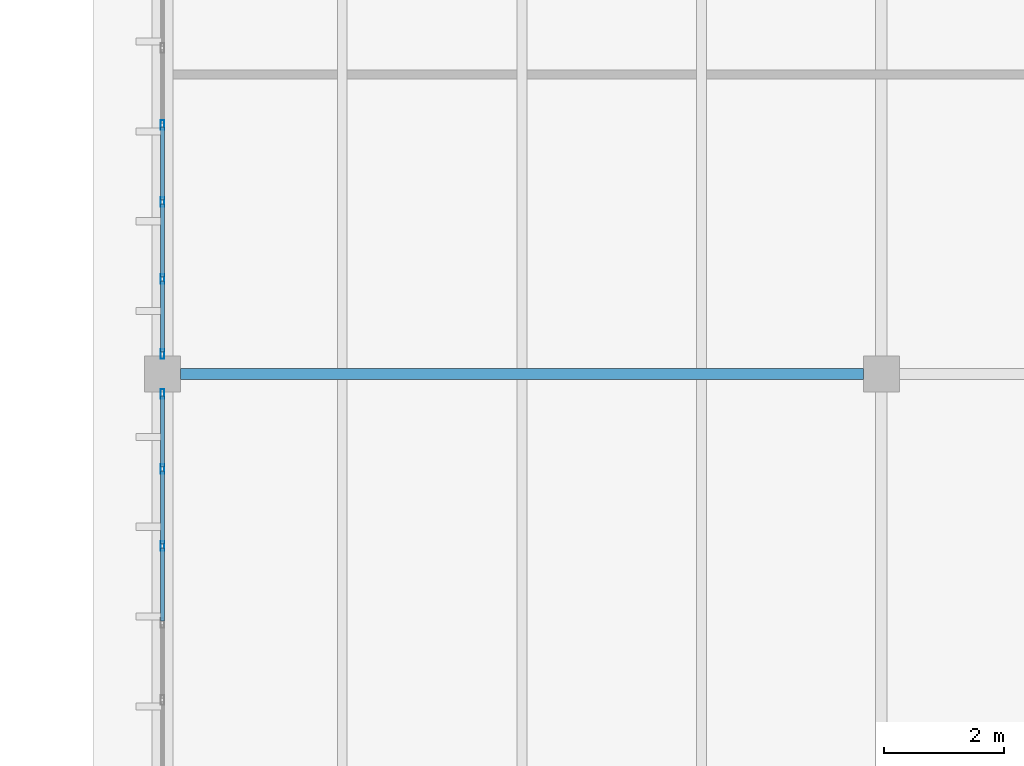
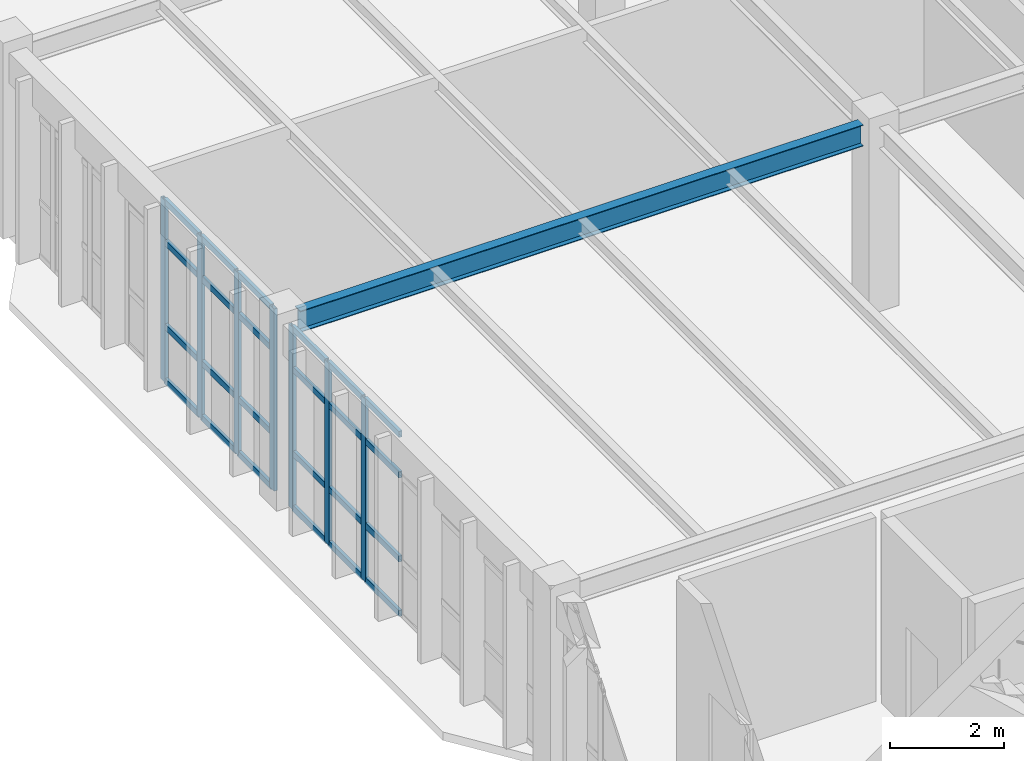
# One storey, part 44 of 83: 31 members, 1 beam, 2 elements without a shape of their own.
"""IFC4 building model written with IfcOpenShell, lengths in metres."""

from ifc_helpers import new_model, si_unit, direction, frame, origin, origin_2d, place, context, subcontext, project, spatial, hollow_rectangle, i_section, extrude, material, layer, layer_set, material_profile, profile_set, type_object, element, aggregate, save


model = new_model("IFC4")

# Units and contexts
model_context = context("Model", 3, precision=1e-05, world=origin(), true_north=direction((0.0, 1.0)))
body_context = subcontext(model_context, "Body", "Model", "MODEL_VIEW")
ifc_project = project(units=[si_unit("LENGTHUNIT", "METRE"), si_unit("AREAUNIT", "SQUARE_METRE"), si_unit("VOLUMEUNIT", "CUBIC_METRE"), si_unit("PLANEANGLEUNIT", "RADIAN"), si_unit("MASSUNIT", "GRAM", prefix="KILO")], contexts=[model_context])

# Site, building, storey
site_placement = place(None, origin())
site = spatial("IfcSite", under=ifc_project, at=site_placement, CompositionType="ELEMENT")
building_placement = place(site_placement, origin())
building = spatial("IfcBuilding", under=site, at=building_placement, Name="Pandanus Reach Market Hall", CompositionType="ELEMENT")
storey_placement = place(building_placement, frame((0.0, 0.0, 10.199951171875)))
storey = spatial("IfcBuildingStorey", under=building, at=storey_placement, Name="L02", CompositionType="ELEMENT", Elevation=10.199951171875)

# Beam
ifc_material_1 = material(Name="Steel Grade 350 (350 MPa)", Category="steel")
ifc_material_profile_1 = material_profile(ifc_material_1, i_section(OverallWidth=0.18994140625, OverallDepth=0.45703125, WebThickness=0.009033203125, FlangeThickness=0.014404296875, at=origin_2d()), Name="460UB74.6", Category="LoadBearing")
ifc_profile_set_1 = profile_set([ifc_material_profile_1], Name="Steel Grade 350 (350 MPa)")
beam_type = type_object("IfcBeamType", Name="BM-UB460-I", PredefinedType="BEAM", material=ifc_profile_set_1)
beam_placement = place(storey_placement, frame((144.298095703125, 67.199951171875, 3.72119140625), z_axis=(1.0, 0.0, 0.0), x_axis=(0.0, 1.0, 0.0)))
element("IfcBeam", 1, at=beam_placement, inside=storey, type_object=beam_type, Name="Framing beam BM-UB460-I L02.452", PredefinedType="BEAM", context=body_context, shape_type="SweptSolid", body=[
    extrude(i_section(OverallWidth=0.18994140625, OverallDepth=0.45703125, WebThickness=0.009033203125, FlangeThickness=0.014404296875, at=origin_2d()), origin(), (0.0, 0.0, 1.0), 11.40380859375),
])

# Curtain wall, members
ifc_material_2 = material(Name="Bronze anodised aluminium and low-E glass", Category="aluminium")
ifc_layer = layer(ifc_material_2, 0.159912109375, Name="CW-33")
ifc_layer_set = layer_set([ifc_layer], Name="Bronze anodised aluminium and low-E glass")
curtain_wall_type = type_object("IfcCurtainWallType", Name="CW-33", PredefinedType="NOTDEFINED", material=ifc_layer_set)
curtain_wall_1_placement = place(storey_placement, origin())
curtain_wall_1 = element("IfcCurtainWall", 2, at=curtain_wall_1_placement, inside=storey, type_object=curtain_wall_type, Name="Glazed curtain wall CW-33 CW-0113", PredefinedType="NOTDEFINED")
ifc_material_3 = material(Name="Bronze anodised aluminium", Category="aluminium")
ifc_material_profile_2 = material_profile(ifc_material_3, hollow_rectangle(XDim=0.06494140625, YDim=0.159912109375, WallThickness=0.00390625, at=origin_2d()), Name="ALU65x160", Category="LoadBearing")
ifc_profile_set_2 = profile_set([ifc_material_profile_2], Name="Bronze anodised aluminium")
member_type_1 = type_object("IfcMemberType", Name="CW-M1", PredefinedType="MULLION", material=ifc_profile_set_2)
member_1_placement = place(storey_placement, frame((144.0, 64.32861328125, 0.0), z_axis=(0.0, 0.0, 1.0), x_axis=(-1.0, 0.0, 0.0)))
member_1 = element("IfcMember", 3, at=member_1_placement, type_object=member_type_1, Name="CW-33 mullion 6", PredefinedType="MULLION", context=body_context, shape_type="SweptSolid", body=[
    extrude(hollow_rectangle(XDim=0.06494140625, YDim=0.159912109375, WallThickness=0.00390625, at=origin_2d()), origin(), (0.0, 0.0, 1.0), 3.900146484375),
])
member_2_placement = place(storey_placement, frame((144.0, 65.6142578125, 0.0), z_axis=(0.0, 0.0, 1.0), x_axis=(-1.0, 0.0, 0.0)))
member_2 = element("IfcMember", 4, at=member_2_placement, type_object=member_type_1, Name="CW-33 mullion 7", PredefinedType="MULLION", context=body_context, shape_type="SweptSolid", body=[
    extrude(hollow_rectangle(XDim=0.06494140625, YDim=0.159912109375, WallThickness=0.00390625, at=origin_2d()), origin(), (0.0, 0.0, 1.0), 3.900146484375),
])
member_3_placement = place(storey_placement, frame((144.0, 66.867431640625, 0.0), z_axis=(0.0, 0.0, 1.0), x_axis=(-1.0, 0.0, 0.0)))
member_3 = element("IfcMember", 5, at=member_3_placement, type_object=member_type_1, Name="CW-33 mullion 8", PredefinedType="MULLION", context=body_context, shape_type="SweptSolid", body=[
    extrude(hollow_rectangle(XDim=0.06494140625, YDim=0.159912109375, WallThickness=0.00390625, at=origin_2d()), origin(), (0.0, 0.0, 1.0), 3.900146484375),
])

curtain_wall_2_placement = place(storey_placement, origin())
curtain_wall_2 = element("IfcCurtainWall", 6, at=curtain_wall_2_placement, inside=storey, type_object=curtain_wall_type, Name="Glazed curtain wall CW-33 CW-0114", PredefinedType="NOTDEFINED")
member_4_placement = place(storey_placement, frame((144.0, 67.532470703125, 0.0), z_axis=(0.0, 0.0, 1.0), x_axis=(-1.0, 0.0, 0.0)))
member_4 = element("IfcMember", 7, at=member_4_placement, type_object=member_type_1, Name="CW-33 mullion 1", PredefinedType="MULLION", context=body_context, shape_type="SweptSolid", body=[
    extrude(hollow_rectangle(XDim=0.06494140625, YDim=0.159912109375, WallThickness=0.00390625, at=origin_2d()), origin(), (0.0, 0.0, 1.0), 3.900146484375),
])
member_5_placement = place(storey_placement, frame((144.0, 68.78564453125, 0.0), z_axis=(0.0, 0.0, 1.0), x_axis=(-1.0, 0.0, 0.0)))
member_5 = element("IfcMember", 8, at=member_5_placement, type_object=member_type_1, Name="CW-33 mullion 2", PredefinedType="MULLION", context=body_context, shape_type="SweptSolid", body=[
    extrude(hollow_rectangle(XDim=0.06494140625, YDim=0.159912109375, WallThickness=0.00390625, at=origin_2d()), origin(), (0.0, 0.0, 1.0), 3.900146484375),
])
member_6_placement = place(storey_placement, frame((144.0, 70.071533203125, 0.0), z_axis=(0.0, 0.0, 1.0), x_axis=(-1.0, 0.0, 0.0)))
member_6 = element("IfcMember", 9, at=member_6_placement, type_object=member_type_1, Name="CW-33 mullion 3", PredefinedType="MULLION", context=body_context, shape_type="SweptSolid", body=[
    extrude(hollow_rectangle(XDim=0.06494140625, YDim=0.159912109375, WallThickness=0.00390625, at=origin_2d()), origin(), (0.0, 0.0, 1.0), 3.900146484375),
])
member_7_placement = place(storey_placement, frame((144.0, 71.357177734375, 0.0), z_axis=(0.0, 0.0, 1.0), x_axis=(-1.0, 0.0, 0.0)))
member_7 = element("IfcMember", 10, at=member_7_placement, type_object=member_type_1, Name="CW-33 mullion 4", PredefinedType="MULLION", context=body_context, shape_type="SweptSolid", body=[
    extrude(hollow_rectangle(XDim=0.06494140625, YDim=0.159912109375, WallThickness=0.00390625, at=origin_2d()), origin(), (0.0, 0.0, 1.0), 3.900146484375),
])

# Member
ifc_material_profile_3 = material_profile(ifc_material_3, hollow_rectangle(XDim=0.06494140625, YDim=0.1298828125, WallThickness=0.00390625, at=origin_2d()), Name="ALU65x130", Category="LoadBearing")
ifc_profile_set_3 = profile_set([ifc_material_profile_3], Name="Bronze anodised aluminium")
member_type_2 = type_object("IfcMemberType", Name="CW-T1", PredefinedType="USERDEFINED", material=ifc_profile_set_3)
member_8_placement = place(storey_placement, frame((144.0, 63.075439453125, 0.032470703125), z_axis=(0.0, 1.0, 0.0), x_axis=(-1.0, 0.0, 0.0)))
member_8 = element("IfcMember", 11, at=member_8_placement, type_object=member_type_2, Name="CW-33 transom 5.1", ObjectType="TRANSOM", PredefinedType="USERDEFINED", context=body_context, shape_type="SweptSolid", body=[
    extrude(hollow_rectangle(XDim=0.06494140625, YDim=0.1298828125, WallThickness=0.00390625, at=origin_2d()), origin(), (0.0, 0.0, 1.0), 1.220703125),
])

member_9_placement = place(storey_placement, frame((144.0, 63.075439453125, 1.199951171875), z_axis=(0.0, 1.0, 0.0), x_axis=(-1.0, 0.0, 0.0)))
member_9 = element("IfcMember", 12, at=member_9_placement, type_object=member_type_2, Name="CW-33 transom 5.2", ObjectType="TRANSOM", PredefinedType="USERDEFINED", context=body_context, shape_type="SweptSolid", body=[
    extrude(hollow_rectangle(XDim=0.06494140625, YDim=0.1298828125, WallThickness=0.00390625, at=origin_2d()), origin(), (0.0, 0.0, 1.0), 1.220703125),
])

member_10_placement = place(storey_placement, frame((144.0, 63.075439453125, 3.0), z_axis=(0.0, 1.0, 0.0), x_axis=(-1.0, 0.0, 0.0)))
member_10 = element("IfcMember", 13, at=member_10_placement, type_object=member_type_2, Name="CW-33 transom 5.3", ObjectType="TRANSOM", PredefinedType="USERDEFINED", context=body_context, shape_type="SweptSolid", body=[
    extrude(hollow_rectangle(XDim=0.06494140625, YDim=0.1298828125, WallThickness=0.00390625, at=origin_2d()), origin(), (0.0, 0.0, 1.0), 1.220703125),
])

member_11_placement = place(storey_placement, frame((144.0, 63.075439453125, 3.867431640625), z_axis=(0.0, 1.0, 0.0), x_axis=(-1.0, 0.0, 0.0)))
member_11 = element("IfcMember", 14, at=member_11_placement, type_object=member_type_2, Name="CW-33 transom 5.4", ObjectType="TRANSOM", PredefinedType="USERDEFINED", context=body_context, shape_type="SweptSolid", body=[
    extrude(hollow_rectangle(XDim=0.06494140625, YDim=0.1298828125, WallThickness=0.00390625, at=origin_2d()), origin(), (0.0, 0.0, 1.0), 1.220703125),
])

member_12_placement = place(storey_placement, frame((144.0, 64.361083984375, 0.032470703125), z_axis=(0.0, 1.0, 0.0), x_axis=(-1.0, 0.0, 0.0)))
member_12 = element("IfcMember", 15, at=member_12_placement, type_object=member_type_2, Name="CW-33 transom 6.1", ObjectType="TRANSOM", PredefinedType="USERDEFINED", context=body_context, shape_type="SweptSolid", body=[
    extrude(hollow_rectangle(XDim=0.06494140625, YDim=0.1298828125, WallThickness=0.00390625, at=origin_2d()), origin(), (0.0, 0.0, 1.0), 1.220703125),
])

member_13_placement = place(storey_placement, frame((144.0, 64.361083984375, 1.199951171875), z_axis=(0.0, 1.0, 0.0), x_axis=(-1.0, 0.0, 0.0)))
member_13 = element("IfcMember", 16, at=member_13_placement, type_object=member_type_2, Name="CW-33 transom 6.2", ObjectType="TRANSOM", PredefinedType="USERDEFINED", context=body_context, shape_type="SweptSolid", body=[
    extrude(hollow_rectangle(XDim=0.06494140625, YDim=0.1298828125, WallThickness=0.00390625, at=origin_2d()), origin(), (0.0, 0.0, 1.0), 1.220703125),
])

member_14_placement = place(storey_placement, frame((144.0, 64.361083984375, 3.0), z_axis=(0.0, 1.0, 0.0), x_axis=(-1.0, 0.0, 0.0)))
member_14 = element("IfcMember", 17, at=member_14_placement, type_object=member_type_2, Name="CW-33 transom 6.3", ObjectType="TRANSOM", PredefinedType="USERDEFINED", context=body_context, shape_type="SweptSolid", body=[
    extrude(hollow_rectangle(XDim=0.06494140625, YDim=0.1298828125, WallThickness=0.00390625, at=origin_2d()), origin(), (0.0, 0.0, 1.0), 1.220703125),
])

member_15_placement = place(storey_placement, frame((144.0, 64.361083984375, 3.867431640625), z_axis=(0.0, 1.0, 0.0), x_axis=(-1.0, 0.0, 0.0)))
member_15 = element("IfcMember", 18, at=member_15_placement, type_object=member_type_2, Name="CW-33 transom 6.4", ObjectType="TRANSOM", PredefinedType="USERDEFINED", context=body_context, shape_type="SweptSolid", body=[
    extrude(hollow_rectangle(XDim=0.06494140625, YDim=0.1298828125, WallThickness=0.00390625, at=origin_2d()), origin(), (0.0, 0.0, 1.0), 1.220703125),
])

member_16_placement = place(storey_placement, frame((144.0, 65.646728515625, 0.032470703125), z_axis=(0.0, 1.0, 0.0), x_axis=(-1.0, 0.0, 0.0)))
member_16 = element("IfcMember", 19, at=member_16_placement, type_object=member_type_2, Name="CW-33 transom 7.1", ObjectType="TRANSOM", PredefinedType="USERDEFINED", context=body_context, shape_type="SweptSolid", body=[
    extrude(hollow_rectangle(XDim=0.06494140625, YDim=0.1298828125, WallThickness=0.00390625, at=origin_2d()), origin(), (0.0, 0.0, 1.0), 1.188232421875),
])

member_17_placement = place(storey_placement, frame((144.0, 65.646728515625, 1.199951171875), z_axis=(0.0, 1.0, 0.0), x_axis=(-1.0, 0.0, 0.0)))
member_17 = element("IfcMember", 20, at=member_17_placement, type_object=member_type_2, Name="CW-33 transom 7.2", ObjectType="TRANSOM", PredefinedType="USERDEFINED", context=body_context, shape_type="SweptSolid", body=[
    extrude(hollow_rectangle(XDim=0.06494140625, YDim=0.1298828125, WallThickness=0.00390625, at=origin_2d()), origin(), (0.0, 0.0, 1.0), 1.188232421875),
])

member_18_placement = place(storey_placement, frame((144.0, 65.646728515625, 3.0), z_axis=(0.0, 1.0, 0.0), x_axis=(-1.0, 0.0, 0.0)))
member_18 = element("IfcMember", 21, at=member_18_placement, type_object=member_type_2, Name="CW-33 transom 7.3", ObjectType="TRANSOM", PredefinedType="USERDEFINED", context=body_context, shape_type="SweptSolid", body=[
    extrude(hollow_rectangle(XDim=0.06494140625, YDim=0.1298828125, WallThickness=0.00390625, at=origin_2d()), origin(), (0.0, 0.0, 1.0), 1.188232421875),
])

member_19_placement = place(storey_placement, frame((144.0, 65.646728515625, 3.867431640625), z_axis=(0.0, 1.0, 0.0), x_axis=(-1.0, 0.0, 0.0)))
member_19 = element("IfcMember", 22, at=member_19_placement, type_object=member_type_2, Name="CW-33 transom 7.4", ObjectType="TRANSOM", PredefinedType="USERDEFINED", context=body_context, shape_type="SweptSolid", body=[
    extrude(hollow_rectangle(XDim=0.06494140625, YDim=0.1298828125, WallThickness=0.00390625, at=origin_2d()), origin(), (0.0, 0.0, 1.0), 1.188232421875),
])

aggregate(curtain_wall_1, [member_1, member_2, member_3, member_8, member_9, member_10, member_11, member_12, member_13, member_14, member_15, member_16, member_17, member_18, member_19])

member_20_placement = place(storey_placement, frame((144.0, 67.56494140625, 0.032470703125), z_axis=(0.0, 1.0, 0.0), x_axis=(-1.0, 0.0, 0.0)))
member_20 = element("IfcMember", 23, at=member_20_placement, type_object=member_type_2, Name="CW-33 transom 1.1", ObjectType="TRANSOM", PredefinedType="USERDEFINED", context=body_context, shape_type="SweptSolid", body=[
    extrude(hollow_rectangle(XDim=0.06494140625, YDim=0.1298828125, WallThickness=0.00390625, at=origin_2d()), origin(), (0.0, 0.0, 1.0), 1.188232421875),
])

member_21_placement = place(storey_placement, frame((144.0, 67.56494140625, 1.199951171875), z_axis=(0.0, 1.0, 0.0), x_axis=(-1.0, 0.0, 0.0)))
member_21 = element("IfcMember", 24, at=member_21_placement, type_object=member_type_2, Name="CW-33 transom 1.2", ObjectType="TRANSOM", PredefinedType="USERDEFINED", context=body_context, shape_type="SweptSolid", body=[
    extrude(hollow_rectangle(XDim=0.06494140625, YDim=0.1298828125, WallThickness=0.00390625, at=origin_2d()), origin(), (0.0, 0.0, 1.0), 1.188232421875),
])

member_22_placement = place(storey_placement, frame((144.0, 67.56494140625, 3.0), z_axis=(0.0, 1.0, 0.0), x_axis=(-1.0, 0.0, 0.0)))
member_22 = element("IfcMember", 25, at=member_22_placement, type_object=member_type_2, Name="CW-33 transom 1.3", ObjectType="TRANSOM", PredefinedType="USERDEFINED", context=body_context, shape_type="SweptSolid", body=[
    extrude(hollow_rectangle(XDim=0.06494140625, YDim=0.1298828125, WallThickness=0.00390625, at=origin_2d()), origin(), (0.0, 0.0, 1.0), 1.188232421875),
])

member_23_placement = place(storey_placement, frame((144.0, 67.56494140625, 3.867431640625), z_axis=(0.0, 1.0, 0.0), x_axis=(-1.0, 0.0, 0.0)))
member_23 = element("IfcMember", 26, at=member_23_placement, type_object=member_type_2, Name="CW-33 transom 1.4", ObjectType="TRANSOM", PredefinedType="USERDEFINED", context=body_context, shape_type="SweptSolid", body=[
    extrude(hollow_rectangle(XDim=0.06494140625, YDim=0.1298828125, WallThickness=0.00390625, at=origin_2d()), origin(), (0.0, 0.0, 1.0), 1.188232421875),
])

member_24_placement = place(storey_placement, frame((144.0, 68.818115234375, 0.032470703125), z_axis=(0.0, 1.0, 0.0), x_axis=(-1.0, 0.0, 0.0)))
member_24 = element("IfcMember", 27, at=member_24_placement, type_object=member_type_2, Name="CW-33 transom 2.1", ObjectType="TRANSOM", PredefinedType="USERDEFINED", context=body_context, shape_type="SweptSolid", body=[
    extrude(hollow_rectangle(XDim=0.06494140625, YDim=0.1298828125, WallThickness=0.00390625, at=origin_2d()), origin(), (0.0, 0.0, 1.0), 1.220703125),
])

member_25_placement = place(storey_placement, frame((144.0, 68.818115234375, 1.199951171875), z_axis=(0.0, 1.0, 0.0), x_axis=(-1.0, 0.0, 0.0)))
member_25 = element("IfcMember", 28, at=member_25_placement, type_object=member_type_2, Name="CW-33 transom 2.2", ObjectType="TRANSOM", PredefinedType="USERDEFINED", context=body_context, shape_type="SweptSolid", body=[
    extrude(hollow_rectangle(XDim=0.06494140625, YDim=0.1298828125, WallThickness=0.00390625, at=origin_2d()), origin(), (0.0, 0.0, 1.0), 1.220703125),
])

member_26_placement = place(storey_placement, frame((144.0, 68.818115234375, 3.0), z_axis=(0.0, 1.0, 0.0), x_axis=(-1.0, 0.0, 0.0)))
member_26 = element("IfcMember", 29, at=member_26_placement, type_object=member_type_2, Name="CW-33 transom 2.3", ObjectType="TRANSOM", PredefinedType="USERDEFINED", context=body_context, shape_type="SweptSolid", body=[
    extrude(hollow_rectangle(XDim=0.06494140625, YDim=0.1298828125, WallThickness=0.00390625, at=origin_2d()), origin(), (0.0, 0.0, 1.0), 1.220703125),
])

member_27_placement = place(storey_placement, frame((144.0, 68.818115234375, 3.867431640625), z_axis=(0.0, 1.0, 0.0), x_axis=(-1.0, 0.0, 0.0)))
member_27 = element("IfcMember", 30, at=member_27_placement, type_object=member_type_2, Name="CW-33 transom 2.4", ObjectType="TRANSOM", PredefinedType="USERDEFINED", context=body_context, shape_type="SweptSolid", body=[
    extrude(hollow_rectangle(XDim=0.06494140625, YDim=0.1298828125, WallThickness=0.00390625, at=origin_2d()), origin(), (0.0, 0.0, 1.0), 1.220703125),
])

member_28_placement = place(storey_placement, frame((144.0, 70.10400390625, 0.032470703125), z_axis=(0.0, 1.0, 0.0), x_axis=(-1.0, 0.0, 0.0)))
member_28 = element("IfcMember", 31, at=member_28_placement, type_object=member_type_2, Name="CW-33 transom 3.1", ObjectType="TRANSOM", PredefinedType="USERDEFINED", context=body_context, shape_type="SweptSolid", body=[
    extrude(hollow_rectangle(XDim=0.06494140625, YDim=0.1298828125, WallThickness=0.00390625, at=origin_2d()), origin(), (0.0, 0.0, 1.0), 1.220703125),
])

member_29_placement = place(storey_placement, frame((144.0, 70.10400390625, 1.199951171875), z_axis=(0.0, 1.0, 0.0), x_axis=(-1.0, 0.0, 0.0)))
member_29 = element("IfcMember", 32, at=member_29_placement, type_object=member_type_2, Name="CW-33 transom 3.2", ObjectType="TRANSOM", PredefinedType="USERDEFINED", context=body_context, shape_type="SweptSolid", body=[
    extrude(hollow_rectangle(XDim=0.06494140625, YDim=0.1298828125, WallThickness=0.00390625, at=origin_2d()), origin(), (0.0, 0.0, 1.0), 1.220703125),
])

member_30_placement = place(storey_placement, frame((144.0, 70.10400390625, 3.0), z_axis=(0.0, 1.0, 0.0), x_axis=(-1.0, 0.0, 0.0)))
member_30 = element("IfcMember", 33, at=member_30_placement, type_object=member_type_2, Name="CW-33 transom 3.3", ObjectType="TRANSOM", PredefinedType="USERDEFINED", context=body_context, shape_type="SweptSolid", body=[
    extrude(hollow_rectangle(XDim=0.06494140625, YDim=0.1298828125, WallThickness=0.00390625, at=origin_2d()), origin(), (0.0, 0.0, 1.0), 1.220703125),
])

member_31_placement = place(storey_placement, frame((144.0, 70.10400390625, 3.867431640625), z_axis=(0.0, 1.0, 0.0), x_axis=(-1.0, 0.0, 0.0)))
member_31 = element("IfcMember", 34, at=member_31_placement, type_object=member_type_2, Name="CW-33 transom 3.4", ObjectType="TRANSOM", PredefinedType="USERDEFINED", context=body_context, shape_type="SweptSolid", body=[
    extrude(hollow_rectangle(XDim=0.06494140625, YDim=0.1298828125, WallThickness=0.00390625, at=origin_2d()), origin(), (0.0, 0.0, 1.0), 1.220703125),
])

aggregate(curtain_wall_2, [member_4, member_5, member_6, member_7, member_20, member_21, member_22, member_23, member_24, member_25, member_26, member_27, member_28, member_29, member_30, member_31])

save(model, "model.ifc")
